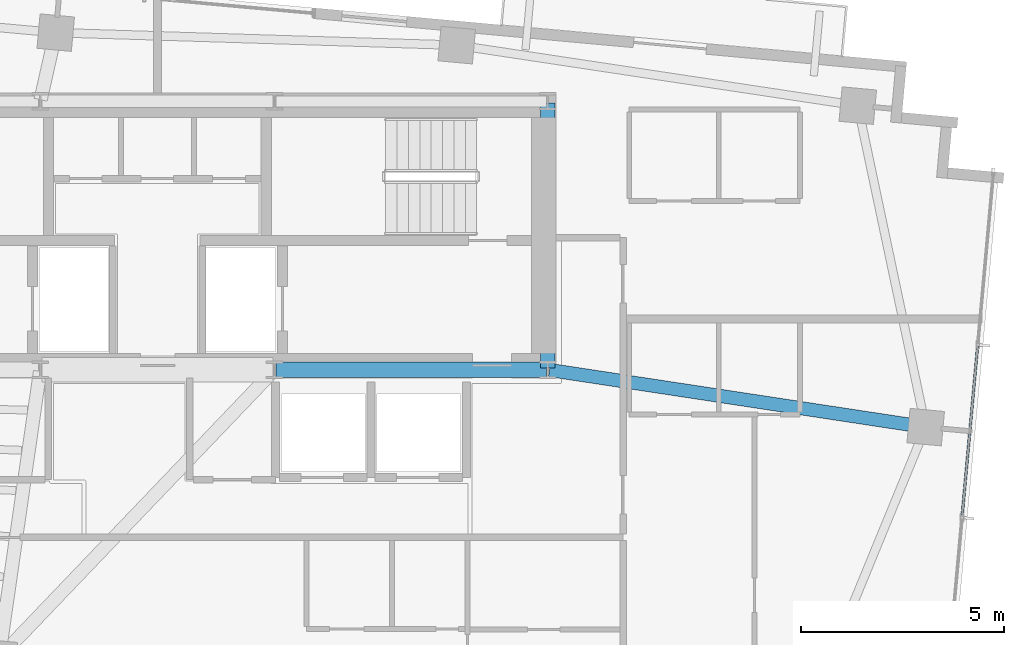
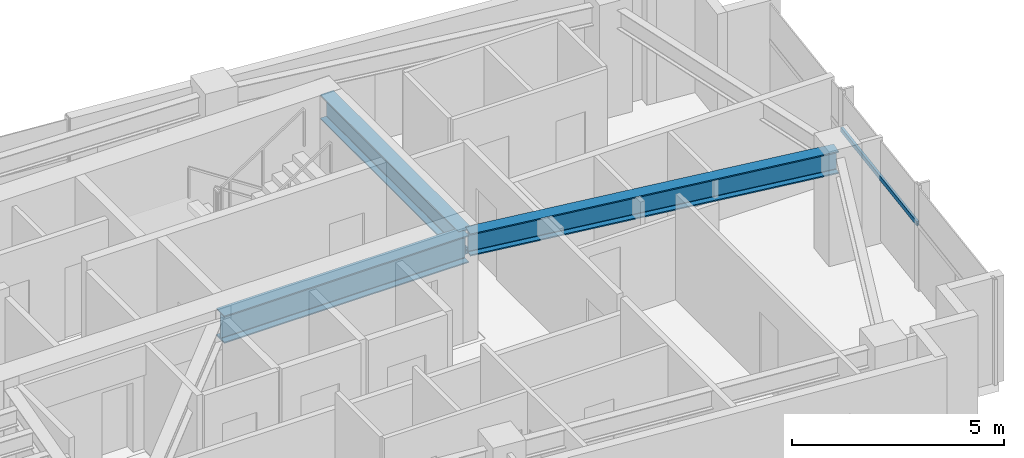
# One storey, part 13 of 22: 3 beams, 1 member, 1 element without a shape of its own.
"""IFC4 building model written with IfcOpenShell, lengths in metres."""

from ifc_helpers import new_model, si_unit, direction, frame, origin, origin_2d, place, context, subcontext, project, spatial, hollow_rectangle, i_section, extrude, source, transform, mapped, material, material_profile, profile_set, type_object, type_shapes, element, aggregate, save


model = new_model("IFC4")

# Units and contexts
model_context = context("Model", 3, precision=1e-05, world=origin(), true_north=direction((0.0, 1.0)))
body_context = subcontext(model_context, "Body", "Model", "MODEL_VIEW")
ifc_project = project(units=[si_unit("LENGTHUNIT", "METRE"), si_unit("AREAUNIT", "SQUARE_METRE"), si_unit("VOLUMEUNIT", "CUBIC_METRE"), si_unit("PLANEANGLEUNIT", "RADIAN"), si_unit("MASSUNIT", "GRAM", prefix="KILO")], contexts=[model_context])

# Site, building, storey
site_placement = place(None, origin())
site = spatial("IfcSite", under=ifc_project, at=site_placement, CompositionType="ELEMENT")
building_placement = place(site_placement, origin())
building = spatial("IfcBuilding", under=site, at=building_placement, Name="Astriad Promenade Condominiums", CompositionType="ELEMENT")
storey_placement = place(building_placement, frame((0.0, 0.0, 246.300048828125)))
storey = spatial("IfcBuildingStorey", under=building, at=storey_placement, Name="L71", CompositionType="ELEMENT", Elevation=246.300048828125)

# Beams
ifc_material_1 = material(Name="Steel ASTM A992 Grade 50", Category="steel")
ifc_material_profile_1 = material_profile(ifc_material_1, i_section(OverallWidth=0.3837890625, OverallDepth=0.785888671875, WebThickness=0.019775390625, FlangeThickness=0.033447265625, FilletRadius=0.021484375, at=origin_2d()), Name="W30X211")
ifc_profile_set_1 = profile_set([ifc_material_profile_1], Name="Steel ASTM A992 Grade 50")
beam_type_1 = type_object("IfcBeamType", Name="STEEL FLOOR GIRDER W30X211", PredefinedType="BEAM", material=ifc_profile_set_1)
shared_shape_1 = source(origin(), body_context, "Body", "SweptSolid", [
    extrude(i_section(OverallWidth=0.3837890625, OverallDepth=0.785888671875, WebThickness=0.019775390625, FlangeThickness=0.033447265625, FilletRadius=0.021484375, at=origin_2d()), origin(), (0.0, 0.0, 1.0), 6.64013671875),
])
type_shapes(beam_type_1, [shared_shape_1])
beam_1_placement = place(storey_placement, frame((38.919921875, 17.39990234375, 2.64697265625), z_axis=(1.0, 0.0, 0.0), x_axis=(0.0, 1.0, 0.0)))
element("IfcBeam", 1, at=beam_1_placement, inside=storey, type_object=beam_type_1, Name="Core Ring Beam CG-S3-L71", PredefinedType="BEAM", context=body_context, shape_type="MappedRepresentation", body=[
    mapped(shared_shape_1, transform((0.0, 0.0, 0.0), scale=1.0)),
])
ifc_material_profile_2 = material_profile(ifc_material_1, i_section(OverallWidth=0.35791015625, OverallDepth=0.706298828125, WebThickness=0.018310546875, FlangeThickness=0.0302734375, FilletRadius=0.020263671875, at=origin_2d()), Name="W27X178")
ifc_profile_set_2 = profile_set([ifc_material_profile_2], Name="Steel ASTM A992 Grade 50")
beam_type_2 = type_object("IfcBeamType", Name="STEEL FLOOR GIRDER W27X178", PredefinedType="BEAM", material=ifc_profile_set_2)
shared_shape_2 = source(origin(), body_context, "Body", "SweptSolid", [
    extrude(i_section(OverallWidth=0.35791015625, OverallDepth=0.706298828125, WebThickness=0.018310546875, FlangeThickness=0.0302734375, FilletRadius=0.020263671875, at=origin_2d()), origin(), (0.0, 0.0, 1.0), 6.52001953125),
])
type_shapes(beam_type_2, [shared_shape_2])
beam_2_placement = place(storey_placement, frame((45.60009765625, 17.43994140625, 2.686767578125), z_axis=(0.0, 1.0, 0.0), x_axis=(-1.0, 0.0, 0.0)))
element("IfcBeam", 2, at=beam_2_placement, inside=storey, type_object=beam_type_2, Name="Core Ring Beam CG-E1-L71", PredefinedType="BEAM", context=body_context, shape_type="MappedRepresentation", body=[
    mapped(shared_shape_2, transform((0.0, 0.0, 0.0), scale=1.0)),
])
ifc_material_profile_3 = material_profile(ifc_material_1, i_section(OverallWidth=0.327392578125, OverallDepth=0.640625, WebThickness=0.01904296875, FlangeThickness=0.033935546875, FilletRadius=0.017822265625, at=origin_2d()), Name="W24X176")
ifc_profile_set_3 = profile_set([ifc_material_profile_3], Name="Steel ASTM A992 Grade 50")
beam_type_3 = type_object("IfcBeamType", Name="STEEL FLOOR GIRDER W24X176", PredefinedType="BEAM", material=ifc_profile_set_3)
shared_shape_3 = source(origin(), body_context, "Body", "SweptSolid", [
    extrude(i_section(OverallWidth=0.327392578125, OverallDepth=0.640625, WebThickness=0.01904296875, FlangeThickness=0.033935546875, FilletRadius=0.017822265625, at=origin_2d()), origin(), (0.0, 0.0, 1.0), 9.315185546875),
])
type_shapes(beam_type_3, [shared_shape_3])
beam_3_placement = place(storey_placement, frame((54.84912109375, 15.995849609375, 2.7197265625), z_axis=(-0.988671230988, 0.150097291834, 0.0), x_axis=(-0.150097291834, -0.988671230988, 0.0)))
element("IfcBeam", 3, at=beam_3_placement, inside=storey, type_object=beam_type_3, Name="Primary Floor Girder PG-EM-L71", PredefinedType="BEAM", context=body_context, shape_type="MappedRepresentation", body=[
    mapped(shared_shape_3, transform((0.0, 0.0, 0.0), scale=1.0)),
])

# Curtain wall, member
ifc_material_2 = material(Name="Anodised aluminium Black Dark Glass Unitised", Category="aluminium")
curtain_wall_type = type_object("IfcCurtainWallType", Name="CW-B5-DARK", PredefinedType="USERDEFINED", material=ifc_material_2)
curtain_wall_placement = place(storey_placement, origin())
curtain_wall = element("IfcCurtainWall", 4, at=curtain_wall_placement, inside=storey, type_object=curtain_wall_type, Name="CW-L71-E", ObjectType="UNITISED_CURTAIN_WALL", PredefinedType="USERDEFINED")
ifc_material_3 = material(Name="Anodised aluminium 6063-T6 Black", Category="aluminium")
ifc_material_profile_4 = material_profile(ifc_material_3, hollow_rectangle(XDim=0.06494140625, YDim=0.1298828125, WallThickness=0.00390625, at=origin_2d()), Name="ALU-TRN-65X130")
ifc_profile_set_4 = profile_set([ifc_material_profile_4], Name="Anodised aluminium 6063-T6 Black")
member_type = type_object("IfcMemberType", Name="TRN-ALU-TRN-65X130", PredefinedType="USERDEFINED", material=ifc_profile_set_4)
shared_shape_4 = source(origin(), body_context, "Body", "SweptSolid", [
    extrude(hollow_rectangle(XDim=0.06494140625, YDim=0.1298828125, WallThickness=0.00390625, at=origin_2d()), origin(), (0.0, 0.0, 1.0), 4.266845703125),
])
type_shapes(member_type, [shared_shape_4])
member_placement = place(storey_placement, frame((56.16748046875, 18.015625, 1.884765625), z_axis=(-0.090633767096, -0.995884290599, 0.0), x_axis=(0.995884290599, -0.090633767096, 0.0)))
member = element("IfcMember", 5, at=member_placement, type_object=member_type, Name="CW-L71-E-TRN-01-0", ObjectType="TRANSOM", PredefinedType="USERDEFINED", context=body_context, shape_type="MappedRepresentation", body=[
    mapped(shared_shape_4, transform((0.0, 0.0, 0.0), scale=1.0)),
])
aggregate(curtain_wall, [member])

save(model, "model.ifc")
